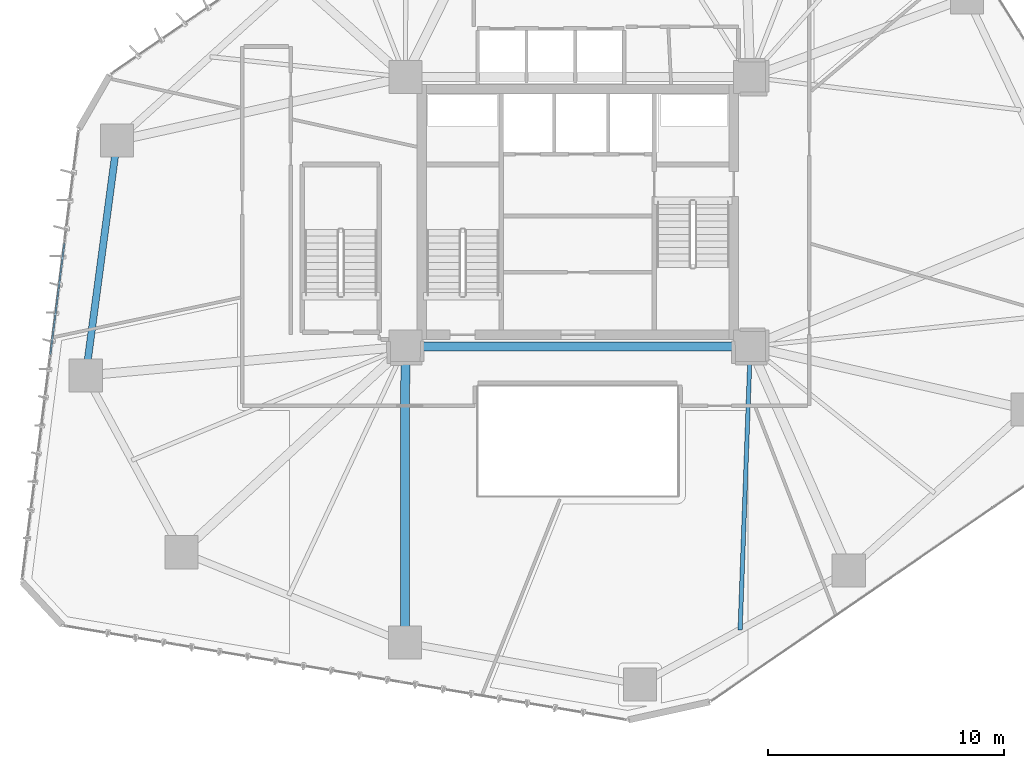
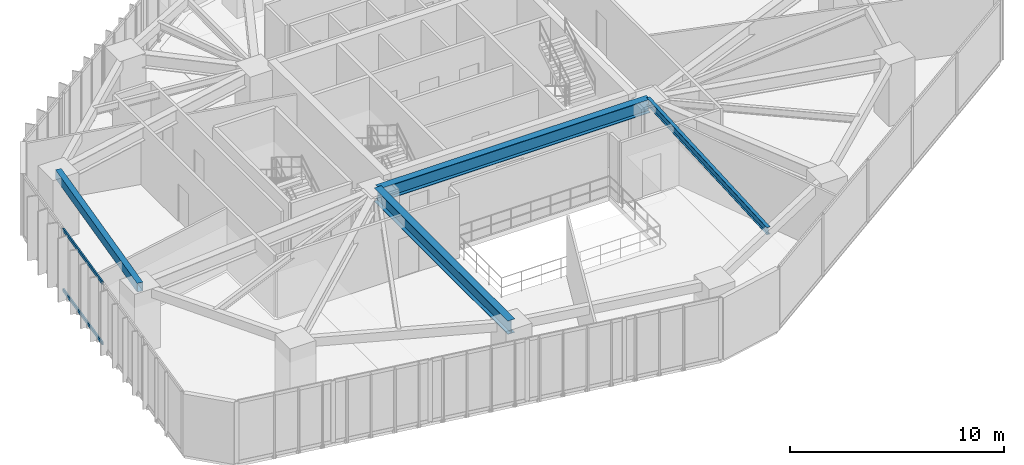
# One storey, part 5 of 21: 4 beams, 2 members, 1 element without a shape of its own.
"""IFC4 building model written with IfcOpenShell, lengths in metres."""

from ifc_helpers import new_model, si_unit, direction, frame, origin, origin_2d, place, context, subcontext, project, spatial, hollow_rectangle, i_section, extrude, source, transform, mapped, material, layer, layer_set, material_profile, profile_set, type_object, type_shapes, element, aggregate, save


model = new_model("IFC4")

# Units and contexts
model_context = context("Model", 3, precision=1e-05, world=origin(), true_north=direction((0.0, 1.0)))
body_context = subcontext(model_context, "Body", "Model", "MODEL_VIEW")
ifc_project = project(units=[si_unit("LENGTHUNIT", "METRE"), si_unit("AREAUNIT", "SQUARE_METRE"), si_unit("VOLUMEUNIT", "CUBIC_METRE"), si_unit("PLANEANGLEUNIT", "RADIAN"), si_unit("MASSUNIT", "GRAM", prefix="KILO")], contexts=[model_context])

# Site, building, storey
site_placement = place(None, origin())
site = spatial("IfcSite", under=ifc_project, at=site_placement, CompositionType="ELEMENT")
building_placement = place(site_placement, origin())
building = spatial("IfcBuilding", under=site, at=building_placement, Name="Talar Marvaseh", CompositionType="ELEMENT")
storey_placement = place(building_placement, frame((0.0, 0.0, 62.0)))
storey = spatial("IfcBuildingStorey", under=building, at=storey_placement, Name="L15", CompositionType="ELEMENT", Elevation=62.0)

# Beams
ifc_material_1 = material(Name="Steel S355", Category="steel")
ifc_material_profile_1 = material_profile(ifc_material_1, hollow_rectangle(XDim=0.300048828125, YDim=0.5, WallThickness=0.02001953125, at=origin_2d()), Name="RHS500x300x20")
ifc_profile_set_1 = profile_set([ifc_material_profile_1], Name="Steel S355")
beam_type_1 = type_object("IfcBeamType", Name="Zone 1 Perimeter Spandrel Beam RHS500x300x20", PredefinedType="SPANDREL", material=ifc_profile_set_1)
beam_1_placement = place(storey_placement, frame((5.175048828125, 24.27587890625, 3.27001953125), z_axis=(0.132340758564, 0.991204279461, 0.0), x_axis=(-0.991204279461, 0.132340758564, 0.0)))
element("IfcBeam", 1, at=beam_1_placement, inside=storey, type_object=beam_type_1, Name="L15 Zone 1 Perimeter Spandrel Beam RHS500x300x20", PredefinedType="SPANDREL", context=body_context, shape_type="SweptSolid", body=[
    extrude(hollow_rectangle(XDim=0.300048828125, YDim=0.5, WallThickness=0.02001953125, at=origin_2d()), origin(), (0.0, 0.0, 1.0), 10.0263671875),
])
ifc_material_profile_2 = material_profile(ifc_material_1, i_section(OverallWidth=0.381103515625, OverallDepth=0.77294921875, WebThickness=0.0166015625, FlangeThickness=0.027099609375, at=origin_2d()), Name="W760x257")
ifc_profile_set_2 = profile_set([ifc_material_profile_2], Name="Steel S355")
beam_type_2 = type_object("IfcBeamType", Name="Zone 1 Radial Floor Girder W760x257", PredefinedType="BEAM", material=ifc_profile_set_2)
beam_2_placement = place(storey_placement, frame((18.699951171875, 25.5, 3.133544921875), z_axis=(1.0, 0.0, 0.0), x_axis=(0.0, 1.0, 0.0)))
element("IfcBeam", 2, at=beam_2_placement, inside=storey, type_object=beam_type_2, Name="L15 Zone 1 Radial Floor Girder W760x257", PredefinedType="BEAM", context=body_context, shape_type="SweptSolid", body=[
    extrude(i_section(OverallWidth=0.381103515625, OverallDepth=0.77294921875, WebThickness=0.0166015625, FlangeThickness=0.027099609375, at=origin_2d()), origin(), (0.0, 0.0, 1.0), 14.60009765625),
])
beam_3_placement = place(storey_placement, frame((18.68310546875, 12.97900390625, 3.133544921875), z_axis=(0.001345395187, 0.999999094955, 0.0), x_axis=(-0.999999094955, 0.001345395187, 0.0)))
element("IfcBeam", 3, at=beam_3_placement, inside=storey, type_object=beam_type_2, Name="L15 Zone 1 Radial Floor Girder W760x257", PredefinedType="BEAM", context=body_context, shape_type="SweptSolid", body=[
    extrude(i_section(OverallWidth=0.381103515625, OverallDepth=0.77294921875, WebThickness=0.0166015625, FlangeThickness=0.027099609375, at=origin_2d()), origin(), (0.0, 0.0, 1.0), 12.52099609375),
])
ifc_material_profile_3 = material_profile(ifc_material_1, i_section(OverallWidth=0.179931640625, OverallDepth=0.4130859375, WebThickness=0.009765625, FlangeThickness=0.01611328125, at=origin_2d()), Name="W410x75")
ifc_profile_set_3 = profile_set([ifc_material_profile_3], Name="Steel S355")
beam_type_3 = type_object("IfcBeamType", Name="Zone 1 Secondary Floor Joist W410x75", PredefinedType="JOIST", material=ifc_profile_set_3)
beam_4_placement = place(storey_placement, frame((32.86962890625, 13.511474609375, 3.3134765625), z_axis=(0.035879540639, 0.999356121992, 0.0), x_axis=(-0.999356121992, 0.035879540639, 0.0)))
element("IfcBeam", 4, at=beam_4_placement, inside=storey, type_object=beam_type_3, Name="L15 Zone 1 Secondary Floor Joist W410x75", PredefinedType="JOIST", context=body_context, shape_type="SweptSolid", body=[
    extrude(i_section(OverallWidth=0.179931640625, OverallDepth=0.4130859375, WebThickness=0.009765625, FlangeThickness=0.01611328125, at=origin_2d()), origin(), (0.0, 0.0, 1.0), 11.996337890625),
])

# Curtain wall, members
ifc_material_2 = material(Name="Architectural Aluminium", Category="aluminium")
ifc_layer = layer(ifc_material_2, 0.219970703125)
ifc_layer_set = layer_set([ifc_layer], Name="Architectural Aluminium")
curtain_wall_type = type_object("IfcCurtainWallType", Name="Unitised Low-E Museum Curtain Wall Z1", PredefinedType="NOTDEFINED", material=ifc_layer_set)
curtain_wall_placement = place(storey_placement, origin())
curtain_wall = element("IfcCurtainWall", 5, at=curtain_wall_placement, inside=storey, type_object=curtain_wall_type, Name="L15 Unitised Low-E Museum Curtain Wall Z1", PredefinedType="NOTDEFINED")
ifc_material_profile_4 = material_profile(ifc_material_2, hollow_rectangle(XDim=0.074951171875, YDim=0.179931640625, WallThickness=0.0048828125, at=origin_2d()), Name="RHS180x75x5")
ifc_profile_set_4 = profile_set([ifc_material_profile_4], Name="Architectural Aluminium")
member_type = type_object("IfcMemberType", Name="Unitised Curtain Wall Transom RHS180x75x5", PredefinedType="USERDEFINED", material=ifc_profile_set_4)
shared_shape = source(origin(), body_context, "Body", "SweptSolid", [
    extrude(hollow_rectangle(XDim=0.074951171875, YDim=0.179931640625, WallThickness=0.0048828125, at=origin_2d()), origin(), (0.0, 0.0, 1.0), 4.736572265625),
])
type_shapes(member_type, [shared_shape])
member_1_placement = place(storey_placement, frame((3.681884765625, 25.172119140625, 0.03759765625), z_axis=(0.124529538526, 0.992215900918, 0.0), x_axis=(-0.992215900918, 0.124529538526, 0.0)))
member_1 = element("IfcMember", 6, at=member_1_placement, type_object=member_type, Name="CW-Z1 transom 3.1", ObjectType="TRANSOM", PredefinedType="USERDEFINED", context=body_context, shape_type="MappedRepresentation", body=[
    mapped(shared_shape, transform((0.0, 0.0, 0.0), x_axis=(1.0, 0.0, 0.0), y_axis=(0.0, 1.0, 0.0), z_axis=(0.0, 0.0, 1.0), scale=1.0)),
])
member_2_placement = place(storey_placement, frame((3.681884765625, 25.172119140625, 3.482421875), z_axis=(0.124529538526, 0.992215900918, 0.0), x_axis=(-0.992215900918, 0.124529538526, 0.0)))
member_2 = element("IfcMember", 7, at=member_2_placement, type_object=member_type, Name="CW-Z1 transom 3.2", ObjectType="TRANSOM", PredefinedType="USERDEFINED", context=body_context, shape_type="MappedRepresentation", body=[
    mapped(shared_shape, transform((0.0, 0.0, 0.0), x_axis=(1.0, 0.0, 0.0), y_axis=(0.0, 1.0, 0.0), z_axis=(0.0, 0.0, 1.0), scale=1.0)),
])
aggregate(curtain_wall, [member_1, member_2])

save(model, "model.ifc")
